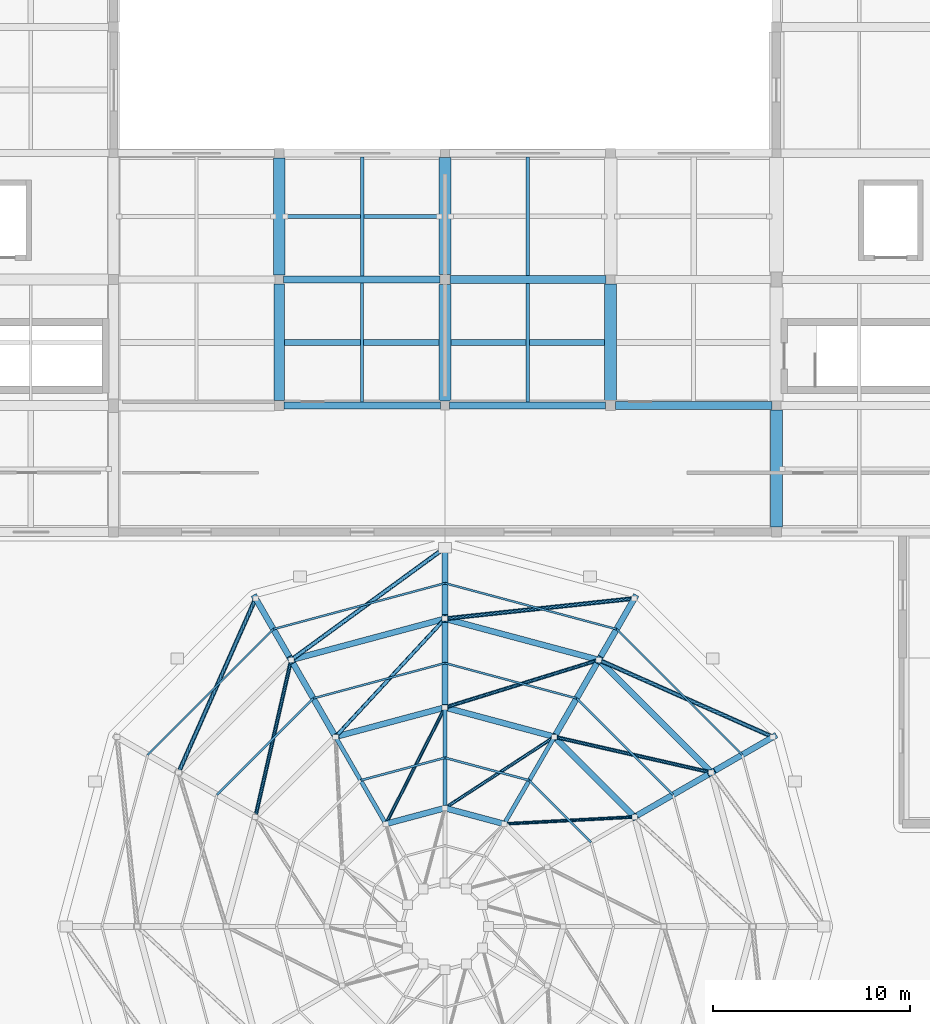
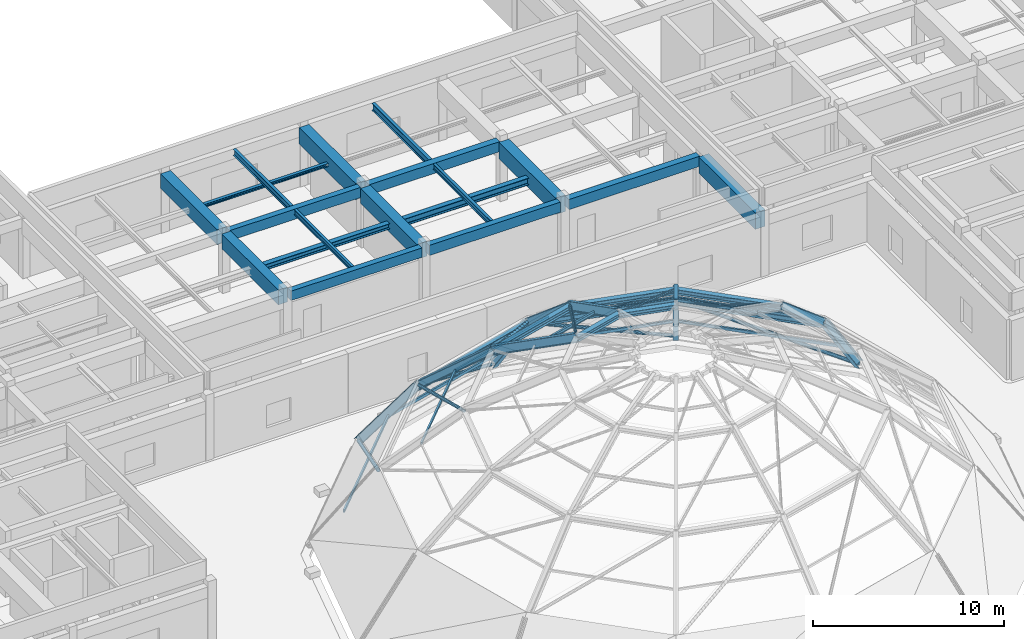
# One storey, part 5 of 18: 34 members, 25 beams.
"""IFC4 building model written with IfcOpenShell, lengths in metres."""

from ifc_helpers import new_model, si_unit, direction, frame, origin, origin_2d, place, context, subcontext, project, spatial, rectangle, hollow_rectangle, hollow_circle, i_section, extrude, material, material_profile, profile_set, type_object, element, save


model = new_model("IFC4")

# Units and contexts
model_context = context("Model", 3, precision=1e-05, world=origin(), true_north=direction((0.0, 1.0)))
body_context = subcontext(model_context, "Body", "Model", "MODEL_VIEW")
ifc_project = project(units=[si_unit("LENGTHUNIT", "METRE"), si_unit("AREAUNIT", "SQUARE_METRE"), si_unit("VOLUMEUNIT", "CUBIC_METRE"), si_unit("PLANEANGLEUNIT", "RADIAN"), si_unit("MASSUNIT", "GRAM", prefix="KILO")], contexts=[model_context])

# Site, building, storey
site_placement = place(None, origin())
site = spatial("IfcSite", under=ifc_project, at=site_placement, CompositionType="ELEMENT")
building_placement = place(site_placement, origin())
building = spatial("IfcBuilding", under=site, at=building_placement, Name="Korsvaeld Concert Hall", CompositionType="ELEMENT")
storey_placement = place(building_placement, frame((0.0, 0.0, 17.39990234375)))
storey = spatial("IfcBuildingStorey", under=building, at=storey_placement, Name="L04", CompositionType="ELEMENT", Elevation=17.39990234375)

# Beams
ifc_material_1 = material(Name="Concrete C35/45", Category="concrete")
ifc_material_profile_1 = material_profile(ifc_material_1, rectangle(XDim=0.35009765625, YDim=0.60009765625, at=origin_2d()), Name="RC 350x600")
ifc_profile_set_1 = profile_set([ifc_material_profile_1], Name="Concrete C35/45")
beam_type_1 = type_object("IfcBeamType", Name="BM-RC-350x600", PredefinedType="T_BEAM", material=ifc_profile_set_1)
beam_1_placement = place(storey_placement, frame((75.85009765625, 89.60009765625, 3.5400390625), z_axis=(1.0, 0.0, 0.0), x_axis=(0.0, 1.0, 0.0)))
element("IfcBeam", 1, at=beam_1_placement, inside=storey, type_object=beam_type_1, Name="Primary girder 11-12/N L04", PredefinedType="T_BEAM", context=body_context, shape_type="SweptSolid", body=[
    extrude(rectangle(XDim=0.35009765625, YDim=0.60009765625, at=origin_2d()), origin(), (0.0, 0.0, 1.0), 7.9248046875),
])
ifc_material_profile_2 = material_profile(ifc_material_1, rectangle(XDim=0.35009765625, YDim=0.64990234375, at=origin_2d()), Name="RC 350x650")
ifc_profile_set_2 = profile_set([ifc_material_profile_2], Name="Concrete C35/45")
beam_type_2 = type_object("IfcBeamType", Name="BM-RC-350x650", PredefinedType="T_BEAM", material=ifc_profile_set_2)
beam_2_placement = place(storey_placement, frame((84.22509765625, 89.60009765625, 3.51513671875), z_axis=(1.0, 0.0, 0.0), x_axis=(0.0, 1.0, 0.0)))
element("IfcBeam", 2, at=beam_2_placement, inside=storey, type_object=beam_type_2, Name="Primary girder 12-13/N L04", PredefinedType="T_BEAM", context=body_context, shape_type="SweptSolid", body=[
    extrude(rectangle(XDim=0.35009765625, YDim=0.64990234375, at=origin_2d()), origin(), (0.0, 0.0, 1.0), 7.9248046875),
])
beam_3_placement = place(storey_placement, frame((75.824951171875, 96.0, 3.51513671875), z_axis=(1.0, 0.0, 0.0), x_axis=(0.0, 1.0, 0.0)))
element("IfcBeam", 3, at=beam_3_placement, inside=storey, type_object=beam_type_2, Name="Primary girder 11-12/P L04", PredefinedType="T_BEAM", context=body_context, shape_type="SweptSolid", body=[
    extrude(rectangle(XDim=0.35009765625, YDim=0.64990234375, at=origin_2d()), origin(), (0.0, 0.0, 1.0), 7.925048828125),
])
ifc_material_profile_3 = material_profile(ifc_material_1, rectangle(XDim=0.39990234375, YDim=0.64990234375, at=origin_2d()), Name="RC 400x650")
ifc_profile_set_3 = profile_set([ifc_material_profile_3], Name="Concrete C35/45")
beam_type_3 = type_object("IfcBeamType", Name="BM-RC-400x650", PredefinedType="T_BEAM", material=ifc_profile_set_3)
for number, where, z_axis, x_axis, name in (
    (4, (92.64990234375, 89.60009765625, 3.51513671875), (1.0, 0.0, 0.0), (0.0, 1.0, 0.0), "Primary girder 13-14/N L04"),
    (5, (84.25, 96.0, 3.51513671875), (1.0, 0.0, 0.0), (0.0, 1.0, 0.0), "Primary girder 12-13/P L04"),
):
    element("IfcBeam", number, at=place(storey_placement, frame(where, z_axis=z_axis, x_axis=x_axis)), inside=storey, type_object=beam_type_3, Name=name, PredefinedType="T_BEAM", context=body_context, shape_type="SweptSolid", body=[
        extrude(rectangle(XDim=0.39990234375, YDim=0.64990234375, at=origin_2d()), origin(), (0.0, 0.0, 1.0), 7.925048828125),
    ])
ifc_material_2 = material(Name="Concrete C40/50", Category="concrete")
ifc_material_profile_4 = material_profile(ifc_material_2, rectangle(XDim=0.550048828125, YDim=0.949951171875, at=origin_2d()), Name="RC 550x950")
ifc_profile_set_4 = profile_set([ifc_material_profile_4], Name="Concrete C40/50")
beam_type_4 = type_object("IfcBeamType", Name="BM-RC-550x950", PredefinedType="T_BEAM", material=ifc_profile_set_4)
beam_4_placement = place(storey_placement, frame((75.60009765625, 89.85009765625, 3.364990234375), z_axis=(0.0, 1.0, 0.0), x_axis=(-1.0, 0.0, 0.0)))
element("IfcBeam", 6, at=beam_4_placement, inside=storey, type_object=beam_type_4, Name="Primary girder 11/N-P L04", PredefinedType="T_BEAM", context=body_context, shape_type="SweptSolid", body=[
    extrude(rectangle(XDim=0.550048828125, YDim=0.949951171875, at=origin_2d()), origin(), (0.0, 0.0, 1.0), 5.9248046875),
])
ifc_material_profile_5 = material_profile(ifc_material_2, rectangle(XDim=0.60009765625, YDim=1.050048828125, at=origin_2d()), Name="RC 600x1050")
ifc_profile_set_5 = profile_set([ifc_material_profile_5], Name="Concrete C40/50")
beam_type_5 = type_object("IfcBeamType", Name="BM-RC-600x1050", PredefinedType="T_BEAM", material=ifc_profile_set_5)
beam_5_placement = place(storey_placement, frame((84.0, 96.25, 3.315185546875), z_axis=(0.0, 1.0, 0.0), x_axis=(-1.0, 0.0, 0.0)))
element("IfcBeam", 7, at=beam_5_placement, inside=storey, type_object=beam_type_5, Name="Primary girder 12/P-Q L04", PredefinedType="T_BEAM", context=body_context, shape_type="SweptSolid", body=[
    extrude(rectangle(XDim=0.60009765625, YDim=1.050048828125, at=origin_2d()), origin(), (0.0, 0.0, 1.0), 5.925048828125),
])
beam_6_placement = place(storey_placement, frame((92.39990234375, 89.85009765625, 3.315185546875), z_axis=(0.0, 1.0, 0.0), x_axis=(-1.0, 0.0, 0.0)))
element("IfcBeam", 8, at=beam_6_placement, inside=storey, type_object=beam_type_5, Name="Primary girder 13/N-P L04", PredefinedType="T_BEAM", context=body_context, shape_type="SweptSolid", body=[
    extrude(rectangle(XDim=0.60009765625, YDim=1.050048828125, at=origin_2d()), origin(), (0.0, 0.0, 1.0), 5.9248046875),
])
beam_7_placement = place(storey_placement, frame((100.800048828125, 83.449951171875, 3.315185546875), z_axis=(0.0, 1.0, 0.0), x_axis=(-1.0, 0.0, 0.0)))
element("IfcBeam", 9, at=beam_7_placement, inside=storey, type_object=beam_type_5, Name="Primary girder 14/M-N L04", PredefinedType="T_BEAM", context=body_context, shape_type="SweptSolid", body=[
    extrude(rectangle(XDim=0.60009765625, YDim=1.050048828125, at=origin_2d()), origin(), (0.0, 0.0, 1.0), 5.925048828125),
])
ifc_material_profile_6 = material_profile(ifc_material_2, rectangle(XDim=0.60009765625, YDim=0.949951171875, at=origin_2d()), Name="RC 600x950")
ifc_profile_set_6 = profile_set([ifc_material_profile_6], Name="Concrete C40/50")
beam_type_6 = type_object("IfcBeamType", Name="BM-RC-600x950", PredefinedType="T_BEAM", material=ifc_profile_set_6)
beam_8_placement = place(storey_placement, frame((75.60009765625, 96.22509765625, 3.364990234375), z_axis=(0.0, 1.0, 0.0), x_axis=(-1.0, 0.0, 0.0)))
element("IfcBeam", 10, at=beam_8_placement, inside=storey, type_object=beam_type_6, Name="Primary girder 11/P-Q L04", PredefinedType="T_BEAM", context=body_context, shape_type="SweptSolid", body=[
    extrude(rectangle(XDim=0.60009765625, YDim=0.949951171875, at=origin_2d()), origin(), (0.0, 0.0, 1.0), 5.9248046875),
])
beam_9_placement = place(storey_placement, frame((84.0, 89.824951171875, 3.364990234375), z_axis=(0.0, 1.0, 0.0), x_axis=(-1.0, 0.0, 0.0)))
element("IfcBeam", 11, at=beam_9_placement, inside=storey, type_object=beam_type_6, Name="Primary girder 12/N-P L04", PredefinedType="T_BEAM", context=body_context, shape_type="SweptSolid", body=[
    extrude(rectangle(XDim=0.60009765625, YDim=0.949951171875, at=origin_2d()), origin(), (0.0, 0.0, 1.0), 5.925048828125),
])
ifc_material_3 = material(Name="Steel S355J2", Category="steel")
ifc_material_profile_7 = material_profile(ifc_material_3, i_section(OverallWidth=0.300048828125, OverallDepth=0.31005859375, WebThickness=0.009033203125, FlangeThickness=0.015380859375, FilletRadius=0.027099609375, at=origin_2d()), Name="HEA 320")
ifc_profile_set_7 = profile_set([ifc_material_profile_7], Name="Steel S355J2")
beam_type_7 = type_object("IfcBeamType", Name="BM-RING-HEA320", PredefinedType="USERDEFINED", material=ifc_profile_set_7)
for number, where, z_axis, x_axis, name in (
    (12, (87.0, 68.396240234375, 11.760009765625), (-0.965936824201, 0.258777996848, 0.0), (-0.258777996848, -0.965936824201, 0.0), "Dome latitude ring beam T3.B03"),
    (13, (84.0, 69.199951171875, 11.760009765625), (-0.965936824201, -0.258777996848, 0.0), (0.258777996848, -0.965936824201, 0.0), "Dome latitude ring beam T3.B04"),
):
    element("IfcBeam", number, at=place(storey_placement, frame(where, z_axis=z_axis, x_axis=x_axis)), inside=storey, type_object=beam_type_7, Name=name, ObjectType="RING BEAM", PredefinedType="USERDEFINED", context=body_context, shape_type="SweptSolid", body=[
        extrude(i_section(OverallWidth=0.300048828125, OverallDepth=0.31005859375, WebThickness=0.009033203125, FlangeThickness=0.015380859375, FilletRadius=0.027099609375, at=origin_2d()), origin(), (0.0, 0.0, 1.0), 3.105712890625),
    ])
ifc_material_profile_8 = material_profile(ifc_material_3, i_section(OverallWidth=0.300048828125, OverallDepth=0.340087890625, WebThickness=0.011962890625, FlangeThickness=0.021484375, FilletRadius=0.027099609375, at=origin_2d()), Name="HEB 340")
ifc_profile_set_8 = profile_set([ifc_material_profile_8], Name="Steel S355J2")
beam_type_8 = type_object("IfcBeamType", Name="BM-RING-HEB340", PredefinedType="USERDEFINED", material=ifc_profile_set_8)
for number, where, z_axis, x_axis, name in (
    (14, (93.61279296875, 68.75, 9.16015625), (-0.707085535584, 0.707128026151, 0.0), (-0.707128026151, -0.707085535584, 0.0), "Dome latitude ring beam T2.B02"),
    (15, (89.550048828125, 72.81298828125, 9.16015625), (-0.965928896046, 0.258807588344, 0.0), (-0.258807588344, -0.965928896046, 0.0), "Dome latitude ring beam T2.B03"),
    (16, (84.0, 74.300048828125, 9.16015625), (-0.965928896046, -0.258807588344, 0.0), (0.258807588344, -0.965928896046, 0.0), "Dome latitude ring beam T2.B04"),
):
    element("IfcBeam", number, at=place(storey_placement, frame(where, z_axis=z_axis, x_axis=x_axis)), inside=storey, type_object=beam_type_8, Name=name, ObjectType="RING BEAM", PredefinedType="USERDEFINED", context=body_context, shape_type="SweptSolid", body=[
        extrude(i_section(OverallWidth=0.300048828125, OverallDepth=0.340087890625, WebThickness=0.011962890625, FlangeThickness=0.021484375, FilletRadius=0.027099609375, at=origin_2d()), origin(), (0.0, 0.0, 1.0), 5.745849609375),
    ])
ifc_material_profile_9 = material_profile(ifc_material_3, i_section(OverallWidth=0.300048828125, OverallDepth=0.39990234375, WebThickness=0.013427734375, FlangeThickness=0.02392578125, FilletRadius=0.027099609375, at=origin_2d()), Name="HEB 400")
ifc_profile_set_9 = profile_set([ifc_material_profile_9], Name="Steel S355J2")
beam_type_9 = type_object("IfcBeamType", Name="BM-RING-HEB400", PredefinedType="USERDEFINED", material=ifc_profile_set_9)
for number, where, z_axis, x_axis, name in (
    (17, (97.510009765625, 71.0, 5.360107421875), (-0.707106781187, 0.707106781187, 0.0), (-0.707106781187, -0.707106781187, 0.0), "Dome latitude ring beam T1.B02"),
    (18, (91.800048828125, 76.7099609375, 5.360107421875), (-0.965923624884, 0.258827260717, 0.0), (-0.258827260717, -0.965923624884, 0.0), "Dome latitude ring beam T1.B03"),
    (19, (84.0, 78.800048828125, 5.360107421875), (-0.965923624884, -0.258827260717, 0.0), (0.258827260717, -0.965923624884, 0.0), "Dome latitude ring beam T1.B04"),
):
    element("IfcBeam", number, at=place(storey_placement, frame(where, z_axis=z_axis, x_axis=x_axis)), inside=storey, type_object=beam_type_9, Name=name, ObjectType="RING BEAM", PredefinedType="USERDEFINED", context=body_context, shape_type="SweptSolid", body=[
        extrude(i_section(OverallWidth=0.300048828125, OverallDepth=0.39990234375, WebThickness=0.013427734375, FlangeThickness=0.02392578125, FilletRadius=0.027099609375, at=origin_2d()), origin(), (0.0, 0.0, 1.0), 8.0751953125),
    ])
ifc_material_profile_10 = material_profile(ifc_material_3, i_section(OverallWidth=0.300048828125, OverallDepth=0.360107421875, WebThickness=0.012451171875, FlangeThickness=0.0224609375, FilletRadius=0.027099609375, at=origin_2d()), Name="HEB 360")
ifc_profile_set_10 = profile_set([ifc_material_profile_10], Name="Steel S355J2")
beam_type_10 = type_object("IfcBeamType", Name="BM-STL-HEB360", PredefinedType="USERDEFINED", material=ifc_profile_set_10)
beam_10_placement = place(storey_placement, frame((75.875, 92.800048828125, 3.2900390625), z_axis=(1.0, 0.0, 0.0), x_axis=(0.0, 1.0, 0.0)))
element("IfcBeam", 20, at=beam_10_placement, inside=storey, type_object=beam_type_10, Name="Artists wing roof purlin tie 11", ObjectType="GIRDER", PredefinedType="USERDEFINED", context=body_context, shape_type="SweptSolid", body=[
    extrude(i_section(OverallWidth=0.300048828125, OverallDepth=0.360107421875, WebThickness=0.012451171875, FlangeThickness=0.0224609375, FilletRadius=0.027099609375, at=origin_2d()), origin(), (0.0, 0.0, 1.0), 7.824951171875),
])
ifc_material_profile_11 = material_profile(ifc_material_3, i_section(OverallWidth=0.300048828125, OverallDepth=0.449951171875, WebThickness=0.013916015625, FlangeThickness=0.02587890625, FilletRadius=0.027099609375, at=origin_2d()), Name="HEB 450")
ifc_profile_set_11 = profile_set([ifc_material_profile_11], Name="Steel S355J2")
beam_type_11 = type_object("IfcBeamType", Name="BM-STL-HEB450", PredefinedType="USERDEFINED", material=ifc_profile_set_11)
beam_11_placement = place(storey_placement, frame((84.300048828125, 92.800048828125, 3.215087890625), z_axis=(1.0, 0.0, 0.0), x_axis=(0.0, 1.0, 0.0)))
element("IfcBeam", 21, at=beam_11_placement, inside=storey, type_object=beam_type_11, Name="Artists wing roof purlin tie 12", ObjectType="GIRDER", PredefinedType="USERDEFINED", context=body_context, shape_type="SweptSolid", body=[
    extrude(i_section(OverallWidth=0.300048828125, OverallDepth=0.449951171875, WebThickness=0.013916015625, FlangeThickness=0.02587890625, FilletRadius=0.027099609375, at=origin_2d()), origin(), (0.0, 0.0, 1.0), 7.800048828125),
])
ifc_material_profile_12 = material_profile(ifc_material_3, i_section(OverallWidth=0.159912109375, OverallDepth=0.330078125, WebThickness=0.007568359375, FlangeThickness=0.011474609375, FilletRadius=0.01806640625, at=origin_2d()), Name="IPE 330")
ifc_profile_set_12 = profile_set([ifc_material_profile_12], Name="Steel S355J2")
beam_type_12 = type_object("IfcBeamType", Name="BM-STL-IPE330", PredefinedType="BEAM", material=ifc_profile_set_12)
beam_12_placement = place(storey_placement, frame((79.800048828125, 89.77490234375, 3.675048828125), z_axis=(0.0, 1.0, 0.0), x_axis=(-1.0, 0.0, 0.0)))
element("IfcBeam", 22, at=beam_12_placement, inside=storey, type_object=beam_type_12, Name="Secondary steel floor beam 11-12/N L04", PredefinedType="BEAM", context=body_context, shape_type="SweptSolid", body=[
    extrude(i_section(OverallWidth=0.159912109375, OverallDepth=0.330078125, WebThickness=0.007568359375, FlangeThickness=0.011474609375, FilletRadius=0.01806640625, at=origin_2d()), origin(), (0.0, 0.0, 1.0), 6.050048828125),
])
ifc_material_profile_13 = material_profile(ifc_material_3, i_section(OverallWidth=0.169921875, OverallDepth=0.360107421875, WebThickness=0.008056640625, FlangeThickness=0.0126953125, FilletRadius=0.01806640625, at=origin_2d()), Name="IPE 360")
ifc_profile_set_13 = profile_set([ifc_material_profile_13], Name="Steel S355J2")
beam_type_13 = type_object("IfcBeamType", Name="BM-STL-IPE360", PredefinedType="BEAM", material=ifc_profile_set_13)
beam_13_placement = place(storey_placement, frame((88.199951171875, 89.77490234375, 3.66015625), z_axis=(0.0, 1.0, 0.0), x_axis=(-1.0, 0.0, 0.0)))
element("IfcBeam", 23, at=beam_13_placement, inside=storey, type_object=beam_type_13, Name="Secondary steel floor beam 12-13/N L04", PredefinedType="BEAM", context=body_context, shape_type="SweptSolid", body=[
    extrude(i_section(OverallWidth=0.169921875, OverallDepth=0.360107421875, WebThickness=0.008056640625, FlangeThickness=0.0126953125, FilletRadius=0.01806640625, at=origin_2d()), origin(), (0.0, 0.0, 1.0), 6.025146484375),
])
ifc_material_profile_14 = material_profile(ifc_material_3, i_section(OverallWidth=0.179931640625, OverallDepth=0.39990234375, WebThickness=0.008544921875, FlangeThickness=0.013427734375, FilletRadius=0.02099609375, at=origin_2d()), Name="IPE 400")
ifc_profile_set_14 = profile_set([ifc_material_profile_14], Name="Steel S355J2")
beam_type_14 = type_object("IfcBeamType", Name="BM-STL-IPE400", PredefinedType="BEAM", material=ifc_profile_set_14)
beam_14_placement = place(storey_placement, frame((79.800048828125, 96.175048828125, 3.64013671875), z_axis=(0.0, 1.0, 0.0), x_axis=(-1.0, 0.0, 0.0)))
element("IfcBeam", 24, at=beam_14_placement, inside=storey, type_object=beam_type_14, Name="Secondary steel floor beam 11-12/P L04", PredefinedType="BEAM", context=body_context, shape_type="SweptSolid", body=[
    extrude(i_section(OverallWidth=0.179931640625, OverallDepth=0.39990234375, WebThickness=0.008544921875, FlangeThickness=0.013427734375, FilletRadius=0.02099609375, at=origin_2d()), origin(), (0.0, 0.0, 1.0), 6.02490234375),
])
ifc_material_profile_15 = material_profile(ifc_material_3, i_section(OverallWidth=0.18994140625, OverallDepth=0.449951171875, WebThickness=0.009521484375, FlangeThickness=0.0146484375, FilletRadius=0.02099609375, at=origin_2d()), Name="IPE 450")
ifc_profile_set_15 = profile_set([ifc_material_profile_15], Name="Steel S355J2")
beam_type_15 = type_object("IfcBeamType", Name="BM-STL-IPE450", PredefinedType="BEAM", material=ifc_profile_set_15)
beam_15_placement = place(storey_placement, frame((88.199951171875, 96.199951171875, 3.614990234375), z_axis=(0.0, 1.0, 0.0), x_axis=(-1.0, 0.0, 0.0)))
element("IfcBeam", 25, at=beam_15_placement, inside=storey, type_object=beam_type_15, Name="Secondary steel floor beam 12-13/P L04", PredefinedType="BEAM", context=body_context, shape_type="SweptSolid", body=[
    extrude(i_section(OverallWidth=0.18994140625, OverallDepth=0.449951171875, WebThickness=0.009521484375, FlangeThickness=0.0146484375, FilletRadius=0.02099609375, at=origin_2d()), origin(), (0.0, 0.0, 1.0), 6.0),
])

# Members
ifc_material_profile_16 = material_profile(ifc_material_3, hollow_circle(Radius=0.084228515625, WallThickness=0.008056640625, at=origin_2d()), Name="CHS 168.3x8")
ifc_profile_set_16 = profile_set([ifc_material_profile_16], Name="Steel S355J2")
member_type_1 = type_object("IfcMemberType", Name="MEM-BRC-CHS168", PredefinedType="BRACE", material=ifc_profile_set_16)
for number, where, z_axis, x_axis, name in (
    (26, (93.61279296875, 68.75, 9.25), (-0.929494145163, -0.049724470809, 0.365469712988), (0.053419885871, -0.998572138503, 0.0), "Dome diagonal brace T3.B02"),
    (27, (89.550048828125, 72.81298828125, 9.25), (-0.780092468735, -0.507833917425, 0.365459235122), (0.545572623948, -0.838063548902, 0.0), "Dome diagonal brace T3.B03"),
    (28, (84.0, 74.300048828125, 9.25), (-0.421676738996, -0.82983291849, 0.365466900253), (0.891503247431, -0.453014304211, 0.0), "Dome diagonal brace T3.B04"),
):
    element("IfcMember", number, at=place(storey_placement, frame(where, z_axis=z_axis, x_axis=x_axis)), inside=storey, type_object=member_type_1, Name=name, PredefinedType="BRACE", context=body_context, shape_type="SweptSolid", body=[
        extrude(hollow_circle(Radius=0.084228515625, WallThickness=0.008056640625, at=origin_2d()), origin(), (0.0, 0.0, 1.0), 7.114501953125),
    ])
ifc_material_profile_17 = material_profile(ifc_material_3, hollow_circle(Radius=0.096923828125, WallThickness=0.010009765625, at=origin_2d()), Name="CHS 193.7x10")
ifc_profile_set_17 = profile_set([ifc_material_profile_17], Name="Steel S355J2")
member_type_2 = type_object("IfcMemberType", Name="MEM-BRC-CHS193", PredefinedType="BRACE", material=ifc_profile_set_17)
for number, where, z_axis, x_axis, name in (
    (29, (97.510009765625, 71.0, 5.4501953125), (-0.883968669166, 0.201335766692, 0.421975474386), (-0.222076061621, -0.975029344612, 0.0), "Dome diagonal brace T2.B02"),
    (30, (91.800048828125, 76.7099609375, 5.4501953125), (-0.866207278582, -0.267624402857, 0.421974086321), (0.295193109519, -0.95543761078, 0.0), "Dome diagonal brace T2.B03"),
    (31, (84.0, 78.800048828125, 5.4501953125), (-0.616343266815, -0.664874232706, 0.421975392808), (0.733365200404, -0.679834893806, 0.0), "Dome diagonal brace T2.B04"),
):
    element("IfcMember", number, at=place(storey_placement, frame(where, z_axis=z_axis, x_axis=x_axis)), inside=storey, type_object=member_type_2, Name=name, PredefinedType="BRACE", context=body_context, shape_type="SweptSolid", body=[
        extrude(hollow_circle(Radius=0.096923828125, WallThickness=0.010009765625, at=origin_2d()), origin(), (0.0, 0.0, 1.0), 9.0048828125),
    ])
member_1_placement = place(storey_placement, frame((76.199951171875, 76.7099609375, 5.4501953125), z_axis=(-0.201309753228, -0.883973494175, 0.421977777676), x_axis=(0.975035819635, -0.22204763099, 0.0)))
element("IfcMember", 32, at=member_1_placement, inside=storey, type_object=member_type_2, Name="Dome diagonal brace T2.B05", PredefinedType="BRACE", context=body_context, shape_type="SweptSolid", body=[
    extrude(hollow_circle(Radius=0.096923828125, WallThickness=0.010009765625, at=origin_2d()), origin(), (0.0, 0.0, 1.0), 9.004638671875),
])
ifc_material_profile_18 = material_profile(ifc_material_3, hollow_circle(Radius=0.109619140625, WallThickness=0.010009765625, at=origin_2d()), Name="CHS 219.1x10")
ifc_profile_set_18 = profile_set([ifc_material_profile_18], Name="Steel S355J2")
member_type_3 = type_object("IfcMemberType", Name="MEM-BRC-CHS219", PredefinedType="BRACE", material=ifc_profile_set_18)
member_2_placement = place(storey_placement, frame((100.627685546875, 72.800048828125, 0.60009765625), z_axis=(-0.81703050597, 0.361876861361, 0.448894519376), x_axis=(-0.404972063611, -0.914329058761, 0.0)))
element("IfcMember", 33, at=member_2_placement, inside=storey, type_object=member_type_3, Name="Dome diagonal brace T1.B02", PredefinedType="BRACE", context=body_context, shape_type="SweptSolid", body=[
    extrude(hollow_circle(Radius=0.109619140625, WallThickness=0.010009765625, at=origin_2d()), origin(), (0.0, 0.0, 1.0), 10.804443359375),
])
for number, where, z_axis, x_axis, name in (
    (34, (93.60009765625, 79.82763671875, 0.60009765625), (-0.888512340886, -0.095105753593, 0.448888310972), (0.106431338893, -0.994320054158, 0.0), "Dome diagonal brace T1.B03"),
    (35, (84.0, 82.39990234375, 0.60009765625), (-0.72191845207, -0.526621535695, 0.448891419726), (0.589334829599, -0.807888890022, 0.0), "Dome diagonal brace T1.B04"),
):
    element("IfcMember", number, at=place(storey_placement, frame(where, z_axis=z_axis, x_axis=x_axis)), inside=storey, type_object=member_type_3, Name=name, PredefinedType="BRACE", context=body_context, shape_type="SweptSolid", body=[
        extrude(hollow_circle(Radius=0.109619140625, WallThickness=0.010009765625, at=origin_2d()), origin(), (0.0, 0.0, 1.0), 10.8046875),
    ])
member_3_placement = place(storey_placement, frame((74.39990234375, 79.82763671875, 0.60009765625), z_axis=(-0.361876861361, -0.81703050597, 0.448894519376), x_axis=(0.914329058761, -0.404972063611, 0.0)))
element("IfcMember", 36, at=member_3_placement, inside=storey, type_object=member_type_3, Name="Dome diagonal brace T1.B05", PredefinedType="BRACE", context=body_context, shape_type="SweptSolid", body=[
    extrude(hollow_circle(Radius=0.109619140625, WallThickness=0.010009765625, at=origin_2d()), origin(), (0.0, 0.0, 1.0), 10.804443359375),
])
ifc_material_profile_19 = material_profile(ifc_material_3, i_section(OverallWidth=0.110107421875, OverallDepth=0.219970703125, WebThickness=0.005859375, FlangeThickness=0.00927734375, FilletRadius=0.011962890625, at=origin_2d()), Name="IPE 220")
ifc_profile_set_19 = profile_set([ifc_material_profile_19], Name="Steel S355J2")
member_type_4 = type_object("IfcMemberType", Name="MEM-PUR-IPE220", PredefinedType="PURLIN", material=ifc_profile_set_19)
for number, where, z_axis, x_axis, name in (
    (37, (91.404541015625, 67.47509765625, 10.35009765625), (-0.707134362143, 0.707079199154, 0.0), (-0.707079199154, -0.707134362143, 0.0), "Dome hoop purlin T3.B02"),
    (38, (88.27490234375, 70.6044921875, 10.35009765625), (-0.965922935072, 0.258829835029, 0.0), (-0.258829835029, -0.965922935072, 0.0), "Dome hoop purlin T3.B03"),
    (39, (84.0, 71.75, 10.35009765625), (-0.965922935072, -0.258829835029, 0.0), (0.258829835029, -0.965922935072, 0.0), "Dome hoop purlin T3.B04"),
):
    element("IfcMember", number, at=place(storey_placement, frame(where, z_axis=z_axis, x_axis=x_axis)), inside=storey, type_object=member_type_4, Name=name, PredefinedType="PURLIN", context=body_context, shape_type="SweptSolid", body=[
        extrude(i_section(OverallWidth=0.110107421875, OverallDepth=0.219970703125, WebThickness=0.005859375, FlangeThickness=0.00927734375, FilletRadius=0.011962890625, at=origin_2d()), origin(), (0.0, 0.0, 1.0), 4.42578125),
    ])
ifc_material_profile_20 = material_profile(ifc_material_3, hollow_rectangle(XDim=0.10009765625, YDim=0.14990234375, WallThickness=0.008056640625, at=origin_2d()), Name="RHS 150x100x8")
ifc_profile_set_20 = profile_set([ifc_material_profile_20], Name="Steel S355J2")
member_type_5 = type_object("IfcMemberType", Name="MEM-PUR-RHS150", PredefinedType="PURLIN", material=ifc_profile_set_20)
for number, where, z_axis, x_axis, name in (
    (40, (95.561279296875, 69.875, 7.150146484375), (-0.707089116103, 0.707124445828, 0.0), (-0.707124445828, -0.707089116103, 0.0), "Dome hoop purlin T2.B02"),
    (41, (90.675048828125, 74.761474609375, 7.150146484375), (-0.965925816311, 0.258819082341, 0.0), (-0.258819082341, -0.965925816311, 0.0), "Dome hoop purlin T2.B03"),
    (42, (84.0, 76.550048828125, 7.150146484375), (-0.965925816311, -0.258819082341, 0.0), (0.258819082341, -0.965925816311, 0.0), "Dome hoop purlin T2.B04"),
    (43, (77.324951171875, 74.761474609375, 7.150146484375), (-0.707089116103, -0.707124445828, 0.0), (0.707124445828, -0.707089116103, 0.0), "Dome hoop purlin T2.B05"),
):
    element("IfcMember", number, at=place(storey_placement, frame(where, z_axis=z_axis, x_axis=x_axis)), inside=storey, type_object=member_type_5, Name=name, PredefinedType="PURLIN", context=body_context, shape_type="SweptSolid", body=[
        extrude(hollow_rectangle(XDim=0.10009765625, YDim=0.14990234375, WallThickness=0.008056640625, at=origin_2d()), origin(), (0.0, 0.0, 1.0), 6.910400390625),
    ])
ifc_material_profile_21 = material_profile(ifc_material_3, hollow_rectangle(XDim=0.10009765625, YDim=0.179931640625, WallThickness=0.008056640625, at=origin_2d()), Name="RHS 180x100x8")
ifc_profile_set_21 = profile_set([ifc_material_profile_21], Name="Steel S355J2")
member_type_6 = type_object("IfcMemberType", Name="MEM-PUR-RHS180", PredefinedType="PURLIN", material=ifc_profile_set_21)
member_4_placement = place(storey_placement, frame((99.06884765625, 71.89990234375, 2.8251953125), z_axis=(-0.707106781187, 0.707106781187, 0.0), x_axis=(-0.707106781187, -0.707106781187, 0.0)))
element("IfcMember", 44, at=member_4_placement, inside=storey, type_object=member_type_6, Name="Dome hoop purlin T1.B02", PredefinedType="PURLIN", context=body_context, shape_type="SweptSolid", body=[
    extrude(hollow_rectangle(XDim=0.10009765625, YDim=0.179931640625, WallThickness=0.008056640625, at=origin_2d()), origin(), (0.0, 0.0, 1.0), 9.007080078125),
])
for number, where, z_axis, x_axis, name in (
    (45, (92.699951171875, 78.268798828125, 2.8251953125), (-0.96592155339, 0.258834991253, 0.0), (-0.258834991253, -0.96592155339, 0.0), "Dome hoop purlin T1.B03"),
    (46, (84.0, 80.60009765625, 2.8251953125), (-0.96592155339, -0.258834991253, 0.0), (0.258834991253, -0.96592155339, 0.0), "Dome hoop purlin T1.B04"),
):
    element("IfcMember", number, at=place(storey_placement, frame(where, z_axis=z_axis, x_axis=x_axis)), inside=storey, type_object=member_type_6, Name=name, PredefinedType="PURLIN", context=body_context, shape_type="SweptSolid", body=[
        extrude(hollow_rectangle(XDim=0.10009765625, YDim=0.179931640625, WallThickness=0.008056640625, at=origin_2d()), origin(), (0.0, 0.0, 1.0), 9.0068359375),
    ])
member_5_placement = place(storey_placement, frame((75.300048828125, 78.268798828125, 2.8251953125), z_axis=(-0.707106781187, -0.707106781187, 0.0), x_axis=(0.707106781187, -0.707106781187, 0.0)))
element("IfcMember", 47, at=member_5_placement, inside=storey, type_object=member_type_6, Name="Dome hoop purlin T1.B05", PredefinedType="PURLIN", context=body_context, shape_type="SweptSolid", body=[
    extrude(hollow_rectangle(XDim=0.10009765625, YDim=0.179931640625, WallThickness=0.008056640625, at=origin_2d()), origin(), (0.0, 0.0, 1.0), 9.007080078125),
])
ifc_material_profile_22 = material_profile(ifc_material_3, i_section(OverallWidth=0.300048828125, OverallDepth=0.449951171875, WebThickness=0.013916015625, FlangeThickness=0.02587890625, FilletRadius=0.027099609375, at=origin_2d()), Name="HEB 450")
ifc_profile_set_22 = profile_set([ifc_material_profile_22], Name="Steel S355J2")
member_type_7 = type_object("IfcMemberType", Name="MEM-RIB-HEB450", PredefinedType="USERDEFINED", material=ifc_profile_set_22)
for number, where, z_axis, x_axis, name in (
    (48, (97.510009765625, 71.0, 5.4501953125), (-0.661693254378, -0.382018732841, 0.645154031894), (0.499990139034, -0.866031096941, 0.0), "Main Hall radial steel dome rib B02.2"),
    (49, (91.800048828125, 76.7099609375, 5.4501953125), (-0.382029211069, -0.661669950855, 0.645171727547), (0.866017533419, -0.500013631625, 0.0), "Main Hall radial steel dome rib B03.2"),
    (50, (84.0, 78.800048828125, 5.4501953125), (0.0, -0.76404626226, 0.645161459734), (1.0, 0.0, 0.0), "Main Hall radial steel dome rib B04.2"),
    (51, (76.199951171875, 76.7099609375, 5.4501953125), (0.382029211069, -0.661669950855, 0.645171727547), (0.866017533419, 0.500013631625, 0.0), "Main Hall radial steel dome rib B05.2"),
):
    element("IfcMember", number, at=place(storey_placement, frame(where, z_axis=z_axis, x_axis=x_axis)), inside=storey, type_object=member_type_7, Name=name, ObjectType="ARCH SEGMENT", PredefinedType="USERDEFINED", context=body_context, shape_type="SweptSolid", body=[
        extrude(i_section(OverallWidth=0.300048828125, OverallDepth=0.449951171875, WebThickness=0.013916015625, FlangeThickness=0.02587890625, FilletRadius=0.027099609375, at=origin_2d()), origin(), (0.0, 0.0, 1.0), 5.8896484375),
    ])
ifc_material_profile_23 = material_profile(ifc_material_3, i_section(OverallWidth=0.300048828125, OverallDepth=0.5, WebThickness=0.014404296875, FlangeThickness=0.028076171875, FilletRadius=0.027099609375, at=origin_2d()), Name="HEB 500")
ifc_profile_set_23 = profile_set([ifc_material_profile_23], Name="Steel S355J2")
member_type_8 = type_object("IfcMemberType", Name="MEM-RIB-HEB500", PredefinedType="USERDEFINED", material=ifc_profile_set_23)
for number, where, z_axis, x_axis, name in (
    (52, (100.627685546875, 72.800048828125, 0.60009765625), (-0.516157866889, -0.298013465354, 0.802975112264), (0.500012057535, -0.866018442252, 0.0), "Main Hall radial steel dome rib B02.1"),
    (53, (93.60009765625, 79.82763671875, 0.60009765625), (-0.298013465354, -0.516157866889, 0.802975112264), (0.866018442252, -0.500012057535, 0.0), "Main Hall radial steel dome rib B03.1"),
    (54, (84.0, 82.39990234375, 0.60009765625), (0.0, -0.595995763339, 0.802987577788), (1.0, 0.0, 0.0), "Main Hall radial steel dome rib B04.1"),
    (55, (74.39990234375, 79.82763671875, 0.60009765625), (0.298013465354, -0.516157866889, 0.802975112264), (0.866018442252, 0.500012057535, 0.0), "Main Hall radial steel dome rib B05.1"),
):
    element("IfcMember", number, at=place(storey_placement, frame(where, z_axis=z_axis, x_axis=x_axis)), inside=storey, type_object=member_type_8, Name=name, ObjectType="ARCH SEGMENT", PredefinedType="USERDEFINED", context=body_context, shape_type="SweptSolid", body=[
        extrude(i_section(OverallWidth=0.300048828125, OverallDepth=0.5, WebThickness=0.014404296875, FlangeThickness=0.028076171875, FilletRadius=0.027099609375, at=origin_2d()), origin(), (0.0, 0.0, 1.0), 6.0400390625),
    ])
ifc_material_profile_24 = material_profile(ifc_material_3, i_section(OverallWidth=0.2099609375, OverallDepth=0.550048828125, WebThickness=0.010986328125, FlangeThickness=0.01708984375, FilletRadius=0.02392578125, at=origin_2d()), Name="IPE 550")
ifc_profile_set_24 = profile_set([ifc_material_profile_24], Name="Steel S355J2")
member_type_9 = type_object("IfcMemberType", Name="MEM-RIB-IPE550", PredefinedType="USERDEFINED", material=ifc_profile_set_24)
for number, where, z_axis, x_axis, name in (
    (56, (89.550048828125, 72.81298828125, 9.25), (-0.445455349128, -0.771539753095, 0.454198130035), (0.86602216432, -0.500005610874, 0.0), "Main Hall radial steel dome rib B03.3"),
    (57, (84.0, 74.300048828125, 9.25), (0.0, -0.890902763201, 0.454194084638), (1.0, 0.0, 0.0), "Main Hall radial steel dome rib B04.3"),
    (58, (78.449951171875, 72.81298828125, 9.25), (0.445455349128, -0.771539753095, 0.454198130035), (0.86602216432, 0.500005610874, 0.0), "Main Hall radial steel dome rib B05.3"),
):
    element("IfcMember", number, at=place(storey_placement, frame(where, z_axis=z_axis, x_axis=x_axis)), inside=storey, type_object=member_type_9, Name=name, ObjectType="ARCH SEGMENT", PredefinedType="USERDEFINED", context=body_context, shape_type="SweptSolid", body=[
        extrude(i_section(OverallWidth=0.2099609375, OverallDepth=0.550048828125, WebThickness=0.010986328125, FlangeThickness=0.01708984375, FilletRadius=0.02392578125, at=origin_2d()), origin(), (0.0, 0.0, 1.0), 5.724609375),
    ])
ifc_material_profile_25 = material_profile(ifc_material_3, i_section(OverallWidth=0.199951171875, OverallDepth=0.199951171875, WebThickness=0.009033203125, FlangeThickness=0.014892578125, FilletRadius=0.01806640625, at=origin_2d()), Name="HEB 200")
ifc_profile_set_25 = profile_set([ifc_material_profile_25], Name="Steel S355J2")
member_type_10 = type_object("IfcMemberType", Name="MEM-STR-HEB200", PredefinedType="STRUT", material=ifc_profile_set_25)
member_6_placement = place(storey_placement, frame((75.89990234375, 99.199951171875, 3.300048828125), z_axis=(1.0, 0.0, 0.0), x_axis=(0.0, 1.0, 0.0)))
element("IfcMember", 59, at=member_6_placement, inside=storey, type_object=member_type_10, Name="Artists wing roof purlin tie 20", PredefinedType="STRUT", context=body_context, shape_type="SweptSolid", body=[
    extrude(i_section(OverallWidth=0.199951171875, OverallDepth=0.199951171875, WebThickness=0.009033203125, FlangeThickness=0.014892578125, FilletRadius=0.01806640625, at=origin_2d()), origin(), (0.0, 0.0, 1.0), 7.800048828125),
])

save(model, "model.ifc")
